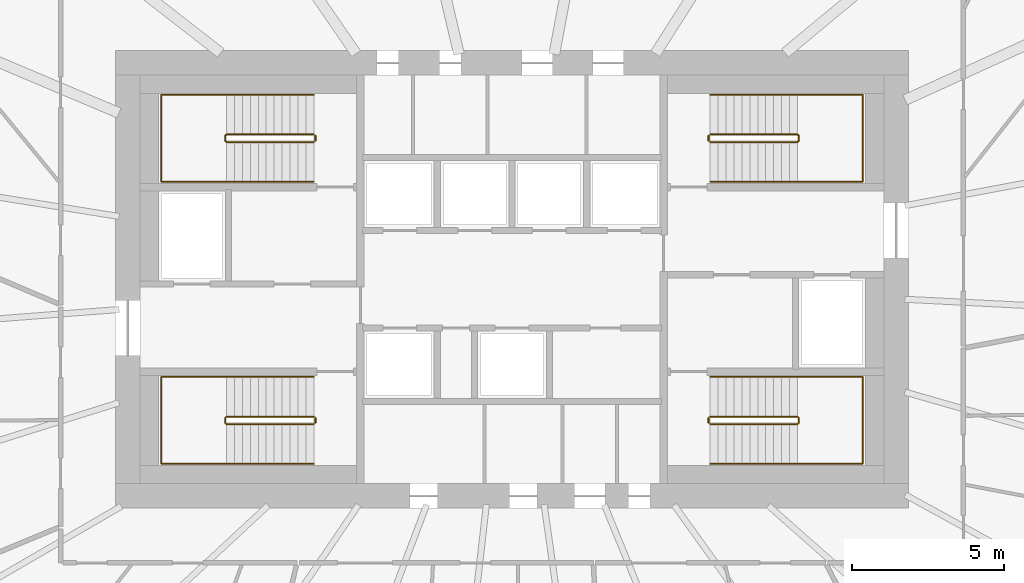
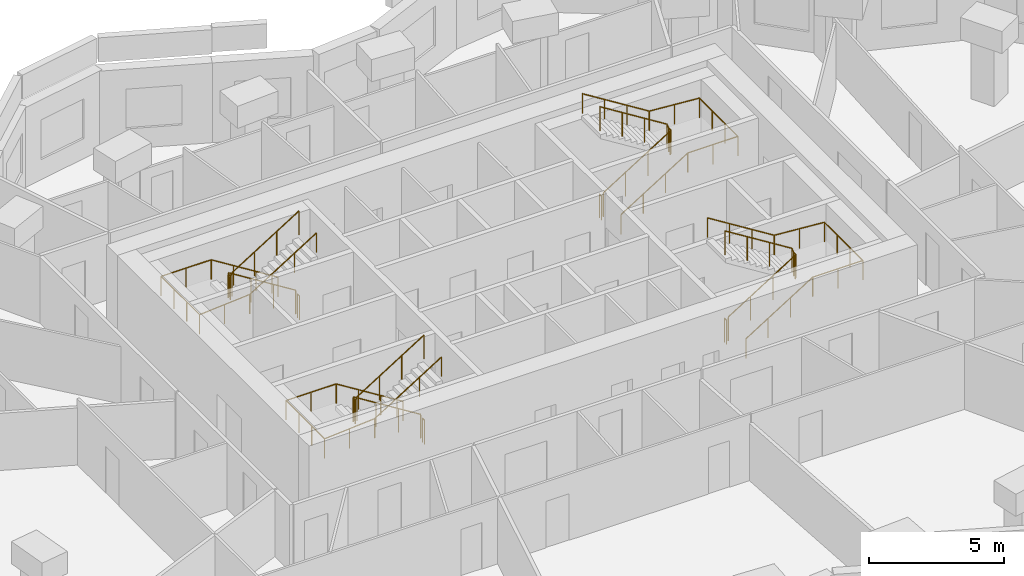
# One storey, part 11 of 11: 12 railings.
"""IFC4 building model written with IfcOpenShell, lengths in metres."""

from ifc_helpers import new_model, si_unit, direction, frame, origin, origin_2d, place, context, subcontext, project, spatial, circle, extrude, material, type_object, element, save


model = new_model("IFC4")

# Units and contexts
model_context = context("Model", 3, precision=1e-05, world=origin(), true_north=direction((0.0, 1.0)))
body_context = subcontext(model_context, "Body", "Model", "MODEL_VIEW")
ifc_project = project(units=[si_unit("LENGTHUNIT", "METRE"), si_unit("AREAUNIT", "SQUARE_METRE"), si_unit("VOLUMEUNIT", "CUBIC_METRE"), si_unit("PLANEANGLEUNIT", "RADIAN"), si_unit("MASSUNIT", "GRAM", prefix="KILO")], contexts=[model_context])

# Site, building, storey
site_placement = place(None, origin())
site = spatial("IfcSite", under=ifc_project, at=site_placement, CompositionType="ELEMENT")
building_placement = place(site_placement, origin())
building = spatial("IfcBuilding", under=site, at=building_placement, Name="Rubra Terraces Tower", CompositionType="ELEMENT")
storey_placement = place(building_placement, frame((0.0, 0.0, 260.39990234375)))
storey = spatial("IfcBuildingStorey", under=building, at=storey_placement, Name="L64", CompositionType="ELEMENT", Elevation=260.39990234375)

# Railings
ifc_material = material(Name="Stainless steel", Category="steel")
railing_type_1 = type_object("IfcRailingType", Name="Core stair guard 1100", PredefinedType="GUARDRAIL", material=ifc_material)
railing_1_placement = place(storey_placement, frame((-6.5, 0.0, 0.16259765625)))
element("IfcRailing", 1, at=railing_1_placement, inside=storey, type_object=railing_type_1, Name="L64 stair S1 guard 1", PredefinedType="GUARDRAIL", context=body_context, shape_type="SweptSolid", body=[
    extrude(circle(Radius=0.02392578125, at=origin_2d()), frame((0.0, 0.0, 1.076171875), z_axis=(-0.847994237388, 0.0, 0.530005446535), x_axis=(0.0, -1.0, 0.0)), (0.0, 0.0, 1.0), 3.372802734375),
    extrude(circle(Radius=0.02392578125, at=origin_2d()), frame((-2.860107421875, 0.0, 2.86376953125), z_axis=(-0.705375805398, -0.708833529934, 0.0), x_axis=(0.708833529934, -0.705375805398, 0.0)), (0.0, 0.0, 1.0), 0.070556640625),
    extrude(circle(Radius=0.02392578125, at=origin_2d()), frame((-2.909912109375, -0.050048828125, 2.86376953125), z_axis=(0.0, -1.0, 0.0), x_axis=(1.0, 0.0, 0.0)), (0.0, 0.0, 1.0), 0.14990234375),
    extrude(circle(Radius=0.02392578125, at=origin_2d()), frame((-2.909912109375, -0.199951171875, 2.86376953125), z_axis=(0.281314826061, -0.282693820306, 0.917031173188), x_axis=(0.708833529934, 0.705375805398, 0.0)), (0.0, 0.0, 1.0), 0.177001953125),
    extrude(circle(Radius=0.02392578125, at=origin_2d()), frame((-2.860107421875, -0.25, 3.02587890625), z_axis=(0.847994237388, 0.0, 0.530005446535), x_axis=(0.0, 1.0, 0.0)), (0.0, 0.0, 1.0), 3.372802734375),
    extrude(circle(Radius=0.02099609375, at=origin_2d()), origin(), (0.0, 0.0, 1.0), 1.052001953125),
    extrude(circle(Radius=0.02099609375, at=origin_2d()), frame((-0.953369140625, 0.0, 0.595947265625)), (0.0, 0.0, 1.0), 1.052001953125),
    extrude(circle(Radius=0.02099609375, at=origin_2d()), frame((-1.90673828125, 0.0, 1.191650390625)), (0.0, 0.0, 1.0), 1.052001953125),
    extrude(circle(Radius=0.02099609375, at=origin_2d()), frame((-2.860107421875, 0.0, 1.78759765625)), (0.0, 0.0, 1.0), 1.052001953125),
    extrude(circle(Radius=0.02099609375, at=origin_2d()), frame((-2.909912109375, -0.050048828125, 1.78759765625)), (0.0, 0.0, 1.0), 1.052001953125),
    extrude(circle(Radius=0.02099609375, at=origin_2d()), frame((-2.909912109375, -0.199951171875, 1.78759765625)), (0.0, 0.0, 1.0), 1.052001953125),
    extrude(circle(Radius=0.02099609375, at=origin_2d()), frame((-2.860107421875, -0.25, 1.949951171875)), (0.0, 0.0, 1.0), 1.052001953125),
    extrude(circle(Radius=0.02099609375, at=origin_2d()), frame((-1.90673828125, -0.25, 2.5458984375)), (0.0, 0.0, 1.0), 1.052001953125),
    extrude(circle(Radius=0.02099609375, at=origin_2d()), frame((-0.953369140625, -0.25, 3.1416015625)), (0.0, 0.0, 1.0), 1.052001953125),
    extrude(circle(Radius=0.02099609375, at=origin_2d()), frame((0.0, -0.25, 3.737548828125)), (0.0, 0.0, 1.0), 1.052001953125),
])
railing_2_placement = place(storey_placement, frame((-6.449951171875, -0.050048828125, 0.0)))
element("IfcRailing", 2, at=railing_2_placement, inside=storey, type_object=railing_type_1, Name="L64 stair S1 guard 2", PredefinedType="GUARDRAIL", context=body_context, shape_type="SweptSolid", body=[
    extrude(circle(Radius=0.02392578125, at=origin_2d()), frame((0.0, 0.0, 1.076171875), z_axis=(0.0, -1.0, 0.0), x_axis=(1.0, 0.0, 0.0)), (0.0, 0.0, 1.0), 0.14990234375),
    extrude(circle(Radius=0.02099609375, at=origin_2d()), origin(), (0.0, 0.0, 1.0), 1.052001953125),
    extrude(circle(Radius=0.02099609375, at=origin_2d()), frame((0.0, -0.14990234375, 0.0)), (0.0, 0.0, 1.0), 1.052001953125),
])
railing_3_placement = place(storey_placement, frame((-6.5, 9.25, 0.16259765625)))
element("IfcRailing", 3, at=railing_3_placement, inside=storey, type_object=railing_type_1, Name="L64 stair S2 guard 1", PredefinedType="GUARDRAIL", context=body_context, shape_type="SweptSolid", body=[
    extrude(circle(Radius=0.02392578125, at=origin_2d()), frame((0.0, 0.0, 1.076171875), z_axis=(-0.847994237388, 0.0, 0.530005446535), x_axis=(0.0, -1.0, 0.0)), (0.0, 0.0, 1.0), 3.372802734375),
    extrude(circle(Radius=0.02392578125, at=origin_2d()), frame((-2.860107421875, 0.0, 2.86376953125), z_axis=(-0.705375805398, -0.708833529934, 0.0), x_axis=(0.708833529934, -0.705375805398, 0.0)), (0.0, 0.0, 1.0), 0.070556640625),
    extrude(circle(Radius=0.02392578125, at=origin_2d()), frame((-2.909912109375, -0.050048828125, 2.86376953125), z_axis=(0.0, -1.0, 0.0), x_axis=(1.0, 0.0, 0.0)), (0.0, 0.0, 1.0), 0.14990234375),
    extrude(circle(Radius=0.02392578125, at=origin_2d()), frame((-2.909912109375, -0.199951171875, 2.86376953125), z_axis=(0.281314826061, -0.282693820306, 0.917031173188), x_axis=(0.708833529934, 0.705375805398, 0.0)), (0.0, 0.0, 1.0), 0.177001953125),
    extrude(circle(Radius=0.02392578125, at=origin_2d()), frame((-2.860107421875, -0.25, 3.02587890625), z_axis=(0.847994237388, 0.0, 0.530005446535), x_axis=(0.0, 1.0, 0.0)), (0.0, 0.0, 1.0), 3.372802734375),
    extrude(circle(Radius=0.02099609375, at=origin_2d()), origin(), (0.0, 0.0, 1.0), 1.052001953125),
    extrude(circle(Radius=0.02099609375, at=origin_2d()), frame((-0.953369140625, 0.0, 0.595947265625)), (0.0, 0.0, 1.0), 1.052001953125),
    extrude(circle(Radius=0.02099609375, at=origin_2d()), frame((-1.90673828125, 0.0, 1.191650390625)), (0.0, 0.0, 1.0), 1.052001953125),
    extrude(circle(Radius=0.02099609375, at=origin_2d()), frame((-2.860107421875, 0.0, 1.78759765625)), (0.0, 0.0, 1.0), 1.052001953125),
    extrude(circle(Radius=0.02099609375, at=origin_2d()), frame((-2.909912109375, -0.050048828125, 1.78759765625)), (0.0, 0.0, 1.0), 1.052001953125),
    extrude(circle(Radius=0.02099609375, at=origin_2d()), frame((-2.909912109375, -0.199951171875, 1.78759765625)), (0.0, 0.0, 1.0), 1.052001953125),
    extrude(circle(Radius=0.02099609375, at=origin_2d()), frame((-2.860107421875, -0.25, 1.949951171875)), (0.0, 0.0, 1.0), 1.052001953125),
    extrude(circle(Radius=0.02099609375, at=origin_2d()), frame((-1.90673828125, -0.25, 2.5458984375)), (0.0, 0.0, 1.0), 1.052001953125),
    extrude(circle(Radius=0.02099609375, at=origin_2d()), frame((-0.953369140625, -0.25, 3.1416015625)), (0.0, 0.0, 1.0), 1.052001953125),
    extrude(circle(Radius=0.02099609375, at=origin_2d()), frame((0.0, -0.25, 3.737548828125)), (0.0, 0.0, 1.0), 1.052001953125),
])
railing_4_placement = place(storey_placement, frame((-6.449951171875, 9.199951171875, 0.0)))
element("IfcRailing", 4, at=railing_4_placement, inside=storey, type_object=railing_type_1, Name="L64 stair S2 guard 2", PredefinedType="GUARDRAIL", context=body_context, shape_type="SweptSolid", body=[
    extrude(circle(Radius=0.02392578125, at=origin_2d()), frame((0.0, 0.0, 1.076171875), z_axis=(0.0, -1.0, 0.0), x_axis=(1.0, 0.0, 0.0)), (0.0, 0.0, 1.0), 0.14990234375),
    extrude(circle(Radius=0.02099609375, at=origin_2d()), origin(), (0.0, 0.0, 1.0), 1.052001953125),
    extrude(circle(Radius=0.02099609375, at=origin_2d()), frame((0.0, -0.14990234375, 0.0)), (0.0, 0.0, 1.0), 1.052001953125),
])
railing_5_placement = place(storey_placement, frame((6.5, 9.0, 0.16259765625)))
element("IfcRailing", 5, at=railing_5_placement, inside=storey, type_object=railing_type_1, Name="L64 stair S3 guard 1", PredefinedType="GUARDRAIL", context=body_context, shape_type="SweptSolid", body=[
    extrude(circle(Radius=0.02392578125, at=origin_2d()), frame((0.0, 0.0, 1.076171875), z_axis=(0.847994237388, 0.0, 0.530005446535), x_axis=(0.0, 1.0, 0.0)), (0.0, 0.0, 1.0), 3.372802734375),
    extrude(circle(Radius=0.02392578125, at=origin_2d()), frame((2.860107421875, 0.0, 2.86376953125), z_axis=(0.705375805398, 0.708833529934, 0.0), x_axis=(-0.708833529934, 0.705375805398, 0.0)), (0.0, 0.0, 1.0), 0.070556640625),
    extrude(circle(Radius=0.02392578125, at=origin_2d()), frame((2.909912109375, 0.050048828125, 2.86376953125), z_axis=(0.0, 1.0, 0.0), x_axis=(-1.0, 0.0, 0.0)), (0.0, 0.0, 1.0), 0.14990234375),
    extrude(circle(Radius=0.02392578125, at=origin_2d()), frame((2.909912109375, 0.199951171875, 2.86376953125), z_axis=(-0.281314826061, 0.282693820306, 0.917031173188), x_axis=(-0.708833529934, -0.705375805398, 0.0)), (0.0, 0.0, 1.0), 0.177001953125),
    extrude(circle(Radius=0.02392578125, at=origin_2d()), frame((2.860107421875, 0.25, 3.02587890625), z_axis=(-0.847994237388, 0.0, 0.530005446535), x_axis=(0.0, -1.0, 0.0)), (0.0, 0.0, 1.0), 3.372802734375),
    extrude(circle(Radius=0.02099609375, at=origin_2d()), origin(), (0.0, 0.0, 1.0), 1.052001953125),
    extrude(circle(Radius=0.02099609375, at=origin_2d()), frame((0.953369140625, 0.0, 0.595947265625)), (0.0, 0.0, 1.0), 1.052001953125),
    extrude(circle(Radius=0.02099609375, at=origin_2d()), frame((1.90673828125, 0.0, 1.191650390625)), (0.0, 0.0, 1.0), 1.052001953125),
    extrude(circle(Radius=0.02099609375, at=origin_2d()), frame((2.860107421875, 0.0, 1.78759765625)), (0.0, 0.0, 1.0), 1.052001953125),
    extrude(circle(Radius=0.02099609375, at=origin_2d()), frame((2.909912109375, 0.050048828125, 1.78759765625)), (0.0, 0.0, 1.0), 1.052001953125),
    extrude(circle(Radius=0.02099609375, at=origin_2d()), frame((2.909912109375, 0.199951171875, 1.78759765625)), (0.0, 0.0, 1.0), 1.052001953125),
    extrude(circle(Radius=0.02099609375, at=origin_2d()), frame((2.860107421875, 0.25, 1.949951171875)), (0.0, 0.0, 1.0), 1.052001953125),
    extrude(circle(Radius=0.02099609375, at=origin_2d()), frame((1.90673828125, 0.25, 2.5458984375)), (0.0, 0.0, 1.0), 1.052001953125),
    extrude(circle(Radius=0.02099609375, at=origin_2d()), frame((0.953369140625, 0.25, 3.1416015625)), (0.0, 0.0, 1.0), 1.052001953125),
    extrude(circle(Radius=0.02099609375, at=origin_2d()), frame((0.0, 0.25, 3.737548828125)), (0.0, 0.0, 1.0), 1.052001953125),
])
railing_6_placement = place(storey_placement, frame((6.449951171875, 9.050048828125, 0.0)))
element("IfcRailing", 6, at=railing_6_placement, inside=storey, type_object=railing_type_1, Name="L64 stair S3 guard 2", PredefinedType="GUARDRAIL", context=body_context, shape_type="SweptSolid", body=[
    extrude(circle(Radius=0.02392578125, at=origin_2d()), frame((0.0, 0.0, 1.076171875), z_axis=(0.0, 1.0, 0.0), x_axis=(-1.0, 0.0, 0.0)), (0.0, 0.0, 1.0), 0.14990234375),
    extrude(circle(Radius=0.02099609375, at=origin_2d()), origin(), (0.0, 0.0, 1.0), 1.052001953125),
    extrude(circle(Radius=0.02099609375, at=origin_2d()), frame((0.0, 0.14990234375, 0.0)), (0.0, 0.0, 1.0), 1.052001953125),
])
railing_7_placement = place(storey_placement, frame((6.5, -0.25, 0.16259765625)))
element("IfcRailing", 7, at=railing_7_placement, inside=storey, type_object=railing_type_1, Name="L64 stair S4 guard 1", PredefinedType="GUARDRAIL", context=body_context, shape_type="SweptSolid", body=[
    extrude(circle(Radius=0.02392578125, at=origin_2d()), frame((0.0, 0.0, 1.076171875), z_axis=(0.847994237388, 0.0, 0.530005446535), x_axis=(0.0, 1.0, 0.0)), (0.0, 0.0, 1.0), 3.372802734375),
    extrude(circle(Radius=0.02392578125, at=origin_2d()), frame((2.860107421875, 0.0, 2.86376953125), z_axis=(0.705375805398, 0.708833529934, 0.0), x_axis=(-0.708833529934, 0.705375805398, 0.0)), (0.0, 0.0, 1.0), 0.070556640625),
    extrude(circle(Radius=0.02392578125, at=origin_2d()), frame((2.909912109375, 0.050048828125, 2.86376953125), z_axis=(0.0, 1.0, 0.0), x_axis=(-1.0, 0.0, 0.0)), (0.0, 0.0, 1.0), 0.14990234375),
    extrude(circle(Radius=0.02392578125, at=origin_2d()), frame((2.909912109375, 0.199951171875, 2.86376953125), z_axis=(-0.281314826061, 0.282693820306, 0.917031173188), x_axis=(-0.708833529934, -0.705375805398, 0.0)), (0.0, 0.0, 1.0), 0.177001953125),
    extrude(circle(Radius=0.02392578125, at=origin_2d()), frame((2.860107421875, 0.25, 3.02587890625), z_axis=(-0.847994237388, 0.0, 0.530005446535), x_axis=(0.0, -1.0, 0.0)), (0.0, 0.0, 1.0), 3.372802734375),
    extrude(circle(Radius=0.02099609375, at=origin_2d()), origin(), (0.0, 0.0, 1.0), 1.052001953125),
    extrude(circle(Radius=0.02099609375, at=origin_2d()), frame((0.953369140625, 0.0, 0.595947265625)), (0.0, 0.0, 1.0), 1.052001953125),
    extrude(circle(Radius=0.02099609375, at=origin_2d()), frame((1.90673828125, 0.0, 1.191650390625)), (0.0, 0.0, 1.0), 1.052001953125),
    extrude(circle(Radius=0.02099609375, at=origin_2d()), frame((2.860107421875, 0.0, 1.78759765625)), (0.0, 0.0, 1.0), 1.052001953125),
    extrude(circle(Radius=0.02099609375, at=origin_2d()), frame((2.909912109375, 0.050048828125, 1.78759765625)), (0.0, 0.0, 1.0), 1.052001953125),
    extrude(circle(Radius=0.02099609375, at=origin_2d()), frame((2.909912109375, 0.199951171875, 1.78759765625)), (0.0, 0.0, 1.0), 1.052001953125),
    extrude(circle(Radius=0.02099609375, at=origin_2d()), frame((2.860107421875, 0.25, 1.949951171875)), (0.0, 0.0, 1.0), 1.052001953125),
    extrude(circle(Radius=0.02099609375, at=origin_2d()), frame((1.90673828125, 0.25, 2.5458984375)), (0.0, 0.0, 1.0), 1.052001953125),
    extrude(circle(Radius=0.02099609375, at=origin_2d()), frame((0.953369140625, 0.25, 3.1416015625)), (0.0, 0.0, 1.0), 1.052001953125),
    extrude(circle(Radius=0.02099609375, at=origin_2d()), frame((0.0, 0.25, 3.737548828125)), (0.0, 0.0, 1.0), 1.052001953125),
])
railing_8_placement = place(storey_placement, frame((6.449951171875, -0.199951171875, 0.0)))
element("IfcRailing", 8, at=railing_8_placement, inside=storey, type_object=railing_type_1, Name="L64 stair S4 guard 2", PredefinedType="GUARDRAIL", context=body_context, shape_type="SweptSolid", body=[
    extrude(circle(Radius=0.02392578125, at=origin_2d()), frame((0.0, 0.0, 1.076171875), z_axis=(0.0, 1.0, 0.0), x_axis=(-1.0, 0.0, 0.0)), (0.0, 0.0, 1.0), 0.14990234375),
    extrude(circle(Radius=0.02099609375, at=origin_2d()), origin(), (0.0, 0.0, 1.0), 1.052001953125),
    extrude(circle(Radius=0.02099609375, at=origin_2d()), frame((0.0, 0.14990234375, 0.0)), (0.0, 0.0, 1.0), 1.052001953125),
])
railing_type_2 = type_object("IfcRailingType", Name="Core stair handrail 900", PredefinedType="HANDRAIL", material=ifc_material)
railing_9_placement = place(storey_placement, frame((-6.5, 1.300048828125, 0.16259765625)))
element("IfcRailing", 9, at=railing_9_placement, inside=storey, type_object=railing_type_2, Name="L64 stair S1 handrail 1", PredefinedType="HANDRAIL", context=body_context, shape_type="SweptSolid", body=[
    extrude(circle(Radius=0.02392578125, at=origin_2d()), frame((0.0, 0.0, 0.8759765625), z_axis=(-0.847994237388, 0.0, 0.530005446535), x_axis=(0.0, -1.0, 0.0)), (0.0, 0.0, 1.0), 3.372802734375),
    extrude(circle(Radius=0.02392578125, at=origin_2d()), frame((-2.860107421875, 0.0, 2.66357421875), z_axis=(-1.0, 0.0, 0.0), x_axis=(0.0, -1.0, 0.0)), (0.0, 0.0, 1.0), 2.139892578125),
    extrude(circle(Radius=0.02392578125, at=origin_2d()), frame((-5.0, 0.0, 2.66357421875), z_axis=(0.0, -1.0, 0.0), x_axis=(1.0, 0.0, 0.0)), (0.0, 0.0, 1.0), 2.85009765625),
    extrude(circle(Radius=0.02392578125, at=origin_2d()), frame((-5.0, -2.85009765625, 2.66357421875), z_axis=(0.9971342424, 0.0, 0.075652512401), x_axis=(0.0, 1.0, 0.0)), (0.0, 0.0, 1.0), 2.14599609375),
    extrude(circle(Radius=0.02392578125, at=origin_2d()), frame((-2.860107421875, -2.85009765625, 2.82568359375), z_axis=(0.847994237388, 0.0, 0.530005446535), x_axis=(0.0, 1.0, 0.0)), (0.0, 0.0, 1.0), 3.372802734375),
    extrude(circle(Radius=0.02099609375, at=origin_2d()), origin(), (0.0, 0.0, 1.0), 0.851806640625),
    extrude(circle(Radius=0.02099609375, at=origin_2d()), frame((-0.953369140625, 0.0, 0.595947265625)), (0.0, 0.0, 1.0), 0.851806640625),
    extrude(circle(Radius=0.02099609375, at=origin_2d()), frame((-1.90673828125, 0.0, 1.191650390625)), (0.0, 0.0, 1.0), 0.851806640625),
    extrude(circle(Radius=0.02099609375, at=origin_2d()), frame((-2.860107421875, 0.0, 1.78759765625)), (0.0, 0.0, 1.0), 0.851806640625),
    extrude(circle(Radius=0.02099609375, at=origin_2d()), frame((-3.93017578125, 0.0, 1.78759765625)), (0.0, 0.0, 1.0), 0.851806640625),
    extrude(circle(Radius=0.02099609375, at=origin_2d()), frame((-5.0, 0.0, 1.78759765625)), (0.0, 0.0, 1.0), 0.851806640625),
    extrude(circle(Radius=0.02099609375, at=origin_2d()), frame((-5.0, -0.949951171875, 1.78759765625)), (0.0, 0.0, 1.0), 0.851806640625),
    extrude(circle(Radius=0.02099609375, at=origin_2d()), frame((-5.0, -1.900146484375, 1.78759765625)), (0.0, 0.0, 1.0), 0.851806640625),
    extrude(circle(Radius=0.02099609375, at=origin_2d()), frame((-5.0, -2.85009765625, 1.78759765625)), (0.0, 0.0, 1.0), 0.851806640625),
    extrude(circle(Radius=0.02099609375, at=origin_2d()), frame((-3.93017578125, -2.85009765625, 1.86865234375)), (0.0, 0.0, 1.0), 0.851806640625),
    extrude(circle(Radius=0.02099609375, at=origin_2d()), frame((-2.860107421875, -2.85009765625, 1.949951171875)), (0.0, 0.0, 1.0), 0.851806640625),
    extrude(circle(Radius=0.02099609375, at=origin_2d()), frame((-1.90673828125, -2.85009765625, 2.5458984375)), (0.0, 0.0, 1.0), 0.851806640625),
    extrude(circle(Radius=0.02099609375, at=origin_2d()), frame((-0.953369140625, -2.85009765625, 3.1416015625)), (0.0, 0.0, 1.0), 0.851806640625),
    extrude(circle(Radius=0.02099609375, at=origin_2d()), frame((0.0, -2.85009765625, 3.737548828125)), (0.0, 0.0, 1.0), 0.851806640625),
])
railing_10_placement = place(storey_placement, frame((-6.5, 10.550048828125, 0.16259765625)))
element("IfcRailing", 10, at=railing_10_placement, inside=storey, type_object=railing_type_2, Name="L64 stair S2 handrail 1", PredefinedType="HANDRAIL", context=body_context, shape_type="SweptSolid", body=[
    extrude(circle(Radius=0.02392578125, at=origin_2d()), frame((0.0, 0.0, 0.8759765625), z_axis=(-0.847994237388, 0.0, 0.530005446535), x_axis=(0.0, -1.0, 0.0)), (0.0, 0.0, 1.0), 3.372802734375),
    extrude(circle(Radius=0.02392578125, at=origin_2d()), frame((-2.860107421875, 0.0, 2.66357421875), z_axis=(-1.0, 0.0, 0.0), x_axis=(0.0, -1.0, 0.0)), (0.0, 0.0, 1.0), 2.139892578125),
    extrude(circle(Radius=0.02392578125, at=origin_2d()), frame((-5.0, 0.0, 2.66357421875), z_axis=(0.0, -1.0, 0.0), x_axis=(1.0, 0.0, 0.0)), (0.0, 0.0, 1.0), 2.85009765625),
    extrude(circle(Radius=0.02392578125, at=origin_2d()), frame((-5.0, -2.85009765625, 2.66357421875), z_axis=(0.9971342424, 0.0, 0.075652512401), x_axis=(0.0, 1.0, 0.0)), (0.0, 0.0, 1.0), 2.14599609375),
    extrude(circle(Radius=0.02392578125, at=origin_2d()), frame((-2.860107421875, -2.85009765625, 2.82568359375), z_axis=(0.847994237388, 0.0, 0.530005446535), x_axis=(0.0, 1.0, 0.0)), (0.0, 0.0, 1.0), 3.372802734375),
    extrude(circle(Radius=0.02099609375, at=origin_2d()), origin(), (0.0, 0.0, 1.0), 0.851806640625),
    extrude(circle(Radius=0.02099609375, at=origin_2d()), frame((-0.953369140625, 0.0, 0.595947265625)), (0.0, 0.0, 1.0), 0.851806640625),
    extrude(circle(Radius=0.02099609375, at=origin_2d()), frame((-1.90673828125, 0.0, 1.191650390625)), (0.0, 0.0, 1.0), 0.851806640625),
    extrude(circle(Radius=0.02099609375, at=origin_2d()), frame((-2.860107421875, 0.0, 1.78759765625)), (0.0, 0.0, 1.0), 0.851806640625),
    extrude(circle(Radius=0.02099609375, at=origin_2d()), frame((-3.93017578125, 0.0, 1.78759765625)), (0.0, 0.0, 1.0), 0.851806640625),
    extrude(circle(Radius=0.02099609375, at=origin_2d()), frame((-5.0, 0.0, 1.78759765625)), (0.0, 0.0, 1.0), 0.851806640625),
    extrude(circle(Radius=0.02099609375, at=origin_2d()), frame((-5.0, -0.949951171875, 1.78759765625)), (0.0, 0.0, 1.0), 0.851806640625),
    extrude(circle(Radius=0.02099609375, at=origin_2d()), frame((-5.0, -1.900146484375, 1.78759765625)), (0.0, 0.0, 1.0), 0.851806640625),
    extrude(circle(Radius=0.02099609375, at=origin_2d()), frame((-5.0, -2.85009765625, 1.78759765625)), (0.0, 0.0, 1.0), 0.851806640625),
    extrude(circle(Radius=0.02099609375, at=origin_2d()), frame((-3.93017578125, -2.85009765625, 1.86865234375)), (0.0, 0.0, 1.0), 0.851806640625),
    extrude(circle(Radius=0.02099609375, at=origin_2d()), frame((-2.860107421875, -2.85009765625, 1.949951171875)), (0.0, 0.0, 1.0), 0.851806640625),
    extrude(circle(Radius=0.02099609375, at=origin_2d()), frame((-1.90673828125, -2.85009765625, 2.5458984375)), (0.0, 0.0, 1.0), 0.851806640625),
    extrude(circle(Radius=0.02099609375, at=origin_2d()), frame((-0.953369140625, -2.85009765625, 3.1416015625)), (0.0, 0.0, 1.0), 0.851806640625),
    extrude(circle(Radius=0.02099609375, at=origin_2d()), frame((0.0, -2.85009765625, 3.737548828125)), (0.0, 0.0, 1.0), 0.851806640625),
])
railing_11_placement = place(storey_placement, frame((6.5, 7.699951171875, 0.16259765625)))
element("IfcRailing", 11, at=railing_11_placement, inside=storey, type_object=railing_type_2, Name="L64 stair S3 handrail 1", PredefinedType="HANDRAIL", context=body_context, shape_type="SweptSolid", body=[
    extrude(circle(Radius=0.02392578125, at=origin_2d()), frame((0.0, 0.0, 0.8759765625), z_axis=(0.847994237388, 0.0, 0.530005446535), x_axis=(0.0, 1.0, 0.0)), (0.0, 0.0, 1.0), 3.372802734375),
    extrude(circle(Radius=0.02392578125, at=origin_2d()), frame((2.860107421875, 0.0, 2.66357421875), z_axis=(1.0, 0.0, 0.0), x_axis=(0.0, 1.0, 0.0)), (0.0, 0.0, 1.0), 2.139892578125),
    extrude(circle(Radius=0.02392578125, at=origin_2d()), frame((5.0, 0.0, 2.66357421875), z_axis=(0.0, 1.0, 0.0), x_axis=(-1.0, 0.0, 0.0)), (0.0, 0.0, 1.0), 2.85009765625),
    extrude(circle(Radius=0.02392578125, at=origin_2d()), frame((5.0, 2.85009765625, 2.66357421875), z_axis=(-0.9971342424, 0.0, 0.075652512401), x_axis=(0.0, -1.0, 0.0)), (0.0, 0.0, 1.0), 2.14599609375),
    extrude(circle(Radius=0.02392578125, at=origin_2d()), frame((2.860107421875, 2.85009765625, 2.82568359375), z_axis=(-0.847994237388, 0.0, 0.530005446535), x_axis=(0.0, -1.0, 0.0)), (0.0, 0.0, 1.0), 3.372802734375),
    extrude(circle(Radius=0.02099609375, at=origin_2d()), origin(), (0.0, 0.0, 1.0), 0.851806640625),
    extrude(circle(Radius=0.02099609375, at=origin_2d()), frame((0.953369140625, 0.0, 0.595947265625)), (0.0, 0.0, 1.0), 0.851806640625),
    extrude(circle(Radius=0.02099609375, at=origin_2d()), frame((1.90673828125, 0.0, 1.191650390625)), (0.0, 0.0, 1.0), 0.851806640625),
    extrude(circle(Radius=0.02099609375, at=origin_2d()), frame((2.860107421875, 0.0, 1.78759765625)), (0.0, 0.0, 1.0), 0.851806640625),
    extrude(circle(Radius=0.02099609375, at=origin_2d()), frame((3.93017578125, 0.0, 1.78759765625)), (0.0, 0.0, 1.0), 0.851806640625),
    extrude(circle(Radius=0.02099609375, at=origin_2d()), frame((5.0, 0.0, 1.78759765625)), (0.0, 0.0, 1.0), 0.851806640625),
    extrude(circle(Radius=0.02099609375, at=origin_2d()), frame((5.0, 0.949951171875, 1.78759765625)), (0.0, 0.0, 1.0), 0.851806640625),
    extrude(circle(Radius=0.02099609375, at=origin_2d()), frame((5.0, 1.900146484375, 1.78759765625)), (0.0, 0.0, 1.0), 0.851806640625),
    extrude(circle(Radius=0.02099609375, at=origin_2d()), frame((5.0, 2.85009765625, 1.78759765625)), (0.0, 0.0, 1.0), 0.851806640625),
    extrude(circle(Radius=0.02099609375, at=origin_2d()), frame((3.93017578125, 2.85009765625, 1.86865234375)), (0.0, 0.0, 1.0), 0.851806640625),
    extrude(circle(Radius=0.02099609375, at=origin_2d()), frame((2.860107421875, 2.85009765625, 1.949951171875)), (0.0, 0.0, 1.0), 0.851806640625),
    extrude(circle(Radius=0.02099609375, at=origin_2d()), frame((1.90673828125, 2.85009765625, 2.5458984375)), (0.0, 0.0, 1.0), 0.851806640625),
    extrude(circle(Radius=0.02099609375, at=origin_2d()), frame((0.953369140625, 2.85009765625, 3.1416015625)), (0.0, 0.0, 1.0), 0.851806640625),
    extrude(circle(Radius=0.02099609375, at=origin_2d()), frame((0.0, 2.85009765625, 3.737548828125)), (0.0, 0.0, 1.0), 0.851806640625),
])
railing_12_placement = place(storey_placement, frame((6.5, -1.550048828125, 0.16259765625)))
element("IfcRailing", 12, at=railing_12_placement, inside=storey, type_object=railing_type_2, Name="L64 stair S4 handrail 1", PredefinedType="HANDRAIL", context=body_context, shape_type="SweptSolid", body=[
    extrude(circle(Radius=0.02392578125, at=origin_2d()), frame((0.0, 0.0, 0.8759765625), z_axis=(0.847994237388, 0.0, 0.530005446535), x_axis=(0.0, 1.0, 0.0)), (0.0, 0.0, 1.0), 3.372802734375),
    extrude(circle(Radius=0.02392578125, at=origin_2d()), frame((2.860107421875, 0.0, 2.66357421875), z_axis=(1.0, 0.0, 0.0), x_axis=(0.0, 1.0, 0.0)), (0.0, 0.0, 1.0), 2.139892578125),
    extrude(circle(Radius=0.02392578125, at=origin_2d()), frame((5.0, 0.0, 2.66357421875), z_axis=(0.0, 1.0, 0.0), x_axis=(-1.0, 0.0, 0.0)), (0.0, 0.0, 1.0), 2.85009765625),
    extrude(circle(Radius=0.02392578125, at=origin_2d()), frame((5.0, 2.85009765625, 2.66357421875), z_axis=(-0.9971342424, 0.0, 0.075652512401), x_axis=(0.0, -1.0, 0.0)), (0.0, 0.0, 1.0), 2.14599609375),
    extrude(circle(Radius=0.02392578125, at=origin_2d()), frame((2.860107421875, 2.85009765625, 2.82568359375), z_axis=(-0.847994237388, 0.0, 0.530005446535), x_axis=(0.0, -1.0, 0.0)), (0.0, 0.0, 1.0), 3.372802734375),
    extrude(circle(Radius=0.02099609375, at=origin_2d()), origin(), (0.0, 0.0, 1.0), 0.851806640625),
    extrude(circle(Radius=0.02099609375, at=origin_2d()), frame((0.953369140625, 0.0, 0.595947265625)), (0.0, 0.0, 1.0), 0.851806640625),
    extrude(circle(Radius=0.02099609375, at=origin_2d()), frame((1.90673828125, 0.0, 1.191650390625)), (0.0, 0.0, 1.0), 0.851806640625),
    extrude(circle(Radius=0.02099609375, at=origin_2d()), frame((2.860107421875, 0.0, 1.78759765625)), (0.0, 0.0, 1.0), 0.851806640625),
    extrude(circle(Radius=0.02099609375, at=origin_2d()), frame((3.93017578125, 0.0, 1.78759765625)), (0.0, 0.0, 1.0), 0.851806640625),
    extrude(circle(Radius=0.02099609375, at=origin_2d()), frame((5.0, 0.0, 1.78759765625)), (0.0, 0.0, 1.0), 0.851806640625),
    extrude(circle(Radius=0.02099609375, at=origin_2d()), frame((5.0, 0.949951171875, 1.78759765625)), (0.0, 0.0, 1.0), 0.851806640625),
    extrude(circle(Radius=0.02099609375, at=origin_2d()), frame((5.0, 1.900146484375, 1.78759765625)), (0.0, 0.0, 1.0), 0.851806640625),
    extrude(circle(Radius=0.02099609375, at=origin_2d()), frame((5.0, 2.85009765625, 1.78759765625)), (0.0, 0.0, 1.0), 0.851806640625),
    extrude(circle(Radius=0.02099609375, at=origin_2d()), frame((3.93017578125, 2.85009765625, 1.86865234375)), (0.0, 0.0, 1.0), 0.851806640625),
    extrude(circle(Radius=0.02099609375, at=origin_2d()), frame((2.860107421875, 2.85009765625, 1.949951171875)), (0.0, 0.0, 1.0), 0.851806640625),
    extrude(circle(Radius=0.02099609375, at=origin_2d()), frame((1.90673828125, 2.85009765625, 2.5458984375)), (0.0, 0.0, 1.0), 0.851806640625),
    extrude(circle(Radius=0.02099609375, at=origin_2d()), frame((0.953369140625, 2.85009765625, 3.1416015625)), (0.0, 0.0, 1.0), 0.851806640625),
    extrude(circle(Radius=0.02099609375, at=origin_2d()), frame((0.0, 2.85009765625, 3.737548828125)), (0.0, 0.0, 1.0), 0.851806640625),
])

save(model, "model.ifc")
